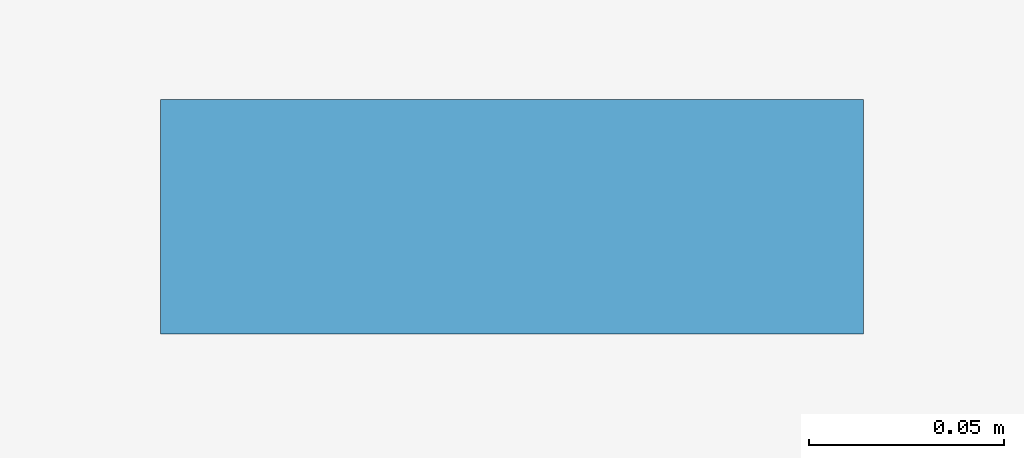
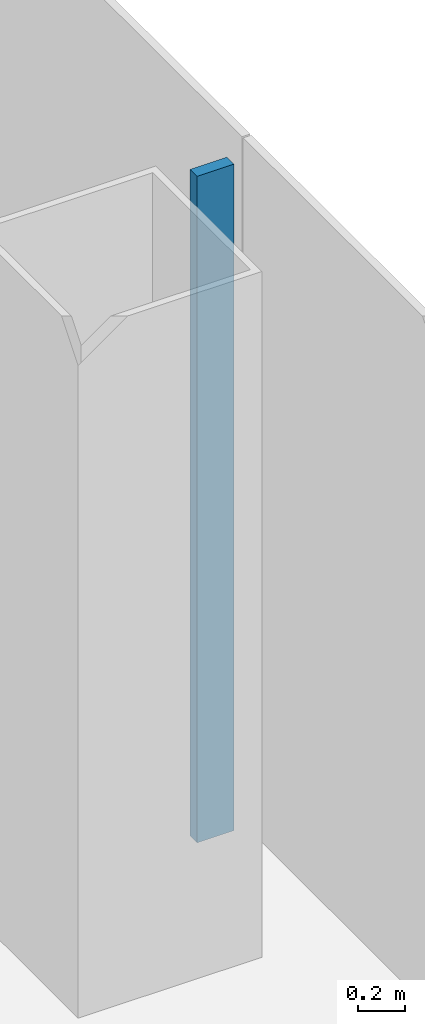
# One storey, part 4 of 20: 1 member, 1 element without a shape of its own.
"""IFC4 building model written with IfcOpenShell, lengths in metres."""

from ifc_helpers import new_model, si_unit, direction, frame, origin, origin_2d, place, context, subcontext, project, spatial, rectangle, extrude, material, layer, layer_set, material_profile, profile_set, type_object, element, aggregate, save


model = new_model("IFC4")

# Units and contexts
model_context = context("Model", 3, precision=1e-05, world=origin(), true_north=direction((0.0, 1.0)))
body_context = subcontext(model_context, "Body", "Model", "MODEL_VIEW")
ifc_project = project(units=[si_unit("LENGTHUNIT", "METRE"), si_unit("AREAUNIT", "SQUARE_METRE"), si_unit("VOLUMEUNIT", "CUBIC_METRE"), si_unit("PLANEANGLEUNIT", "RADIAN"), si_unit("MASSUNIT", "GRAM", prefix="KILO")], contexts=[model_context])

# Site, building, storey
site_placement = place(None, origin())
site = spatial("IfcSite", under=ifc_project, at=site_placement, CompositionType="ELEMENT")
building_placement = place(site_placement, origin())
building = spatial("IfcBuilding", under=site, at=building_placement, Name="Shamsa Quay Exchange Towers", CompositionType="ELEMENT")
storey_placement = place(building_placement, frame((0.0, 0.0, 120.89990234375)))
storey = spatial("IfcBuildingStorey", under=building, at=storey_placement, Name="L28", CompositionType="ELEMENT", Elevation=120.89990234375)

# Curtain wall, member
ifc_material = material(Name="Aluminium EN AW-6063 T6, black anodised", Category="aluminium")
ifc_layer = layer(ifc_material, 0.280029296875)
ifc_layer_set = layer_set([ifc_layer], Name="CW-1 UNITISED VISION GLASS")
curtain_wall_type = type_object("IfcCurtainWallType", Name="CW-1 UNITISED VISION GLASS", PredefinedType="NOTDEFINED", material=ifc_layer_set)
curtain_wall_placement = place(storey_placement, origin())
curtain_wall = element("IfcCurtainWall", 1, at=curtain_wall_placement, inside=storey, type_object=curtain_wall_type, Name="CW1 T1-END-U+ L28", PredefinedType="NOTDEFINED")
ifc_material_profile = material_profile(ifc_material, rectangle(XDim=0.179931640625, YDim=0.06005859375, at=origin_2d()), Name="MU60x180")
ifc_profile_set = profile_set([ifc_material_profile], Name="Aluminium EN AW-6063 T6, black anodised")
member_type = type_object("IfcMemberType", Name="CW1 MULLION 60x180", PredefinedType="MULLION", material=ifc_profile_set)
member_placement = place(storey_placement, frame((-4.64990234375, -2.25, 0.0), z_axis=(0.0, 0.0, 1.0), x_axis=(-1.0, 0.0, 0.0)))
member = element("IfcMember", 2, at=member_placement, type_object=member_type, Name="CW1 mullion", PredefinedType="MULLION", context=body_context, shape_type="SweptSolid", body=[
    extrude(rectangle(XDim=0.179931640625, YDim=0.06005859375, at=origin_2d()), origin(), (0.0, 0.0, 1.0), 3.4501953125),
])
aggregate(curtain_wall, [member])

save(model, "model.ifc")
